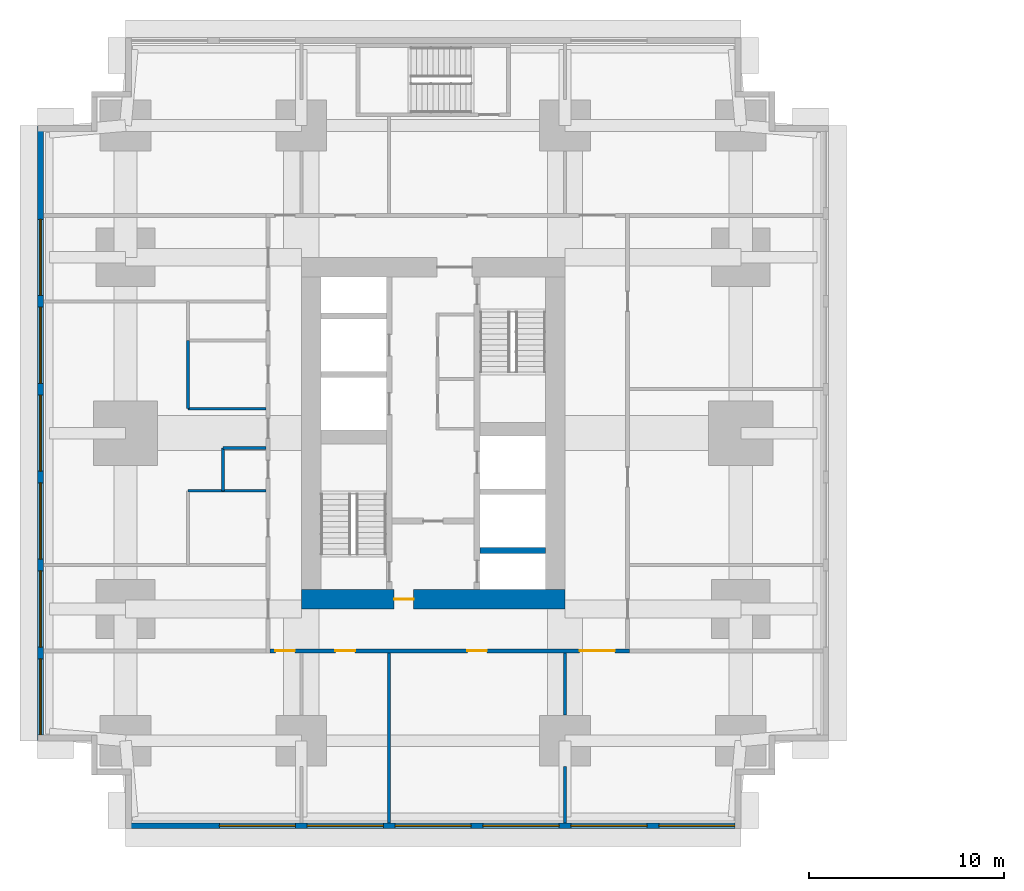
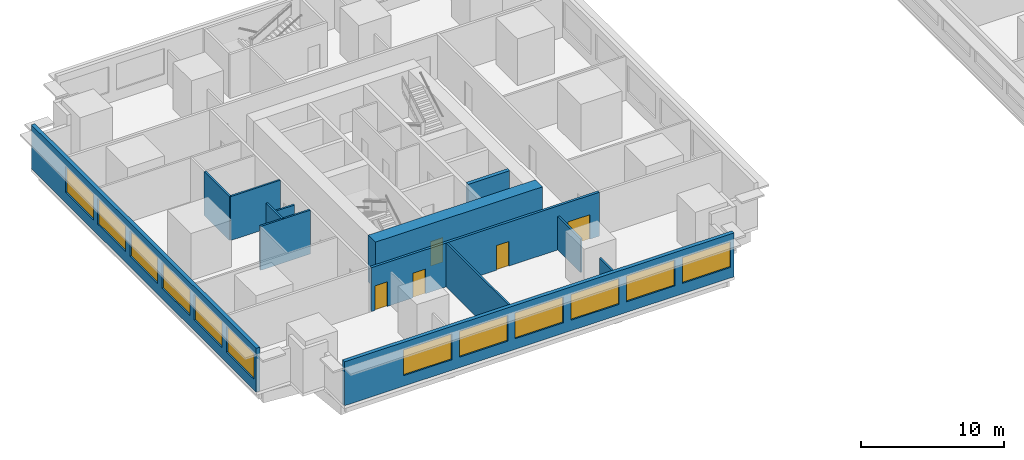
# One storey, part 3 of 11: 13 walls, 12 windows, 5 doors, 17 openings.
"""IFC4 building model written with IfcOpenShell, lengths in metres."""

from ifc_helpers import new_model, si_unit, direction, frame, frame_2d, origin, place, context, subcontext, project, spatial, rectangle, extrude, material, layer, layer_set, type_object, element, fill, save


model = new_model("IFC4")

# Units and contexts
model_context = context("Model", 3, precision=1e-05, world=origin(), true_north=direction((0.0, 1.0)))
body_context = subcontext(model_context, "Body", "Model", "MODEL_VIEW")
ifc_project = project(units=[si_unit("LENGTHUNIT", "METRE"), si_unit("AREAUNIT", "SQUARE_METRE"), si_unit("VOLUMEUNIT", "CUBIC_METRE"), si_unit("PLANEANGLEUNIT", "RADIAN"), si_unit("MASSUNIT", "GRAM", prefix="KILO")], contexts=[model_context])

# Site, building, storey
site_placement = place(None, origin())
site = spatial("IfcSite", under=ifc_project, at=site_placement, CompositionType="ELEMENT")
building_placement = place(site_placement, origin())
building = spatial("IfcBuilding", under=site, at=building_placement, Name="Namib Vertical Campus", CompositionType="ELEMENT")
storey_placement = place(building_placement, frame((0.0, 0.0, 37.0)))
storey = spatial("IfcBuildingStorey", under=building, at=storey_placement, Name="L08", CompositionType="ELEMENT", Elevation=37.0)

# Wall
ifc_material_1 = material(Name="Concrete C60/75", Category="concrete")
ifc_layer_1 = layer(ifc_material_1, 0.300048828125)
ifc_layer_set_1 = layer_set([ifc_layer_1], Name="Concrete C60/75")
wall_type_1 = type_object("IfcWallType", Name="Core inner wall 300", PredefinedType="SHEAR", material=ifc_layer_set_1)
wall_1_placement = place(storey_placement, frame((22.64990234375, 14.25, 0.0), z_axis=(0.0, 0.0, 1.0), x_axis=(1.0, 0.0, 0.0)))
element("IfcWall", 1, at=wall_1_placement, inside=storey, type_object=wall_type_1, Name="Core inner wall A L08 W5", PredefinedType="SHEAR", context=body_context, shape_type="SweptSolid", body=[
    extrude(rectangle(XDim=3.35009765625, YDim=0.300048828125, at=frame_2d((1.675048828125, 0.0))), origin(), (0.0, 0.0, 1.0), 4.0),
])

# Wall, opening, door
ifc_material_2 = material(Name="Concrete C60/75", Category="concrete")
ifc_layer_2 = layer(ifc_material_2, 1.0)
ifc_layer_set_2 = layer_set([ifc_layer_2], Name="Concrete C60/75")
wall_type_2 = type_object("IfcWallType", Name="Core wall 1000", PredefinedType="SHEAR", material=ifc_layer_set_2)
wall_2_placement = place(storey_placement, frame((13.5, 11.75, 0.0), z_axis=(0.0, 0.0, 1.0), x_axis=(1.0, 0.0, 0.0)))
wall_2 = element("IfcWall", 2, at=wall_2_placement, inside=storey, type_object=wall_type_2, Name="Core wall A L08 1", PredefinedType="SHEAR", context=body_context, shape_type="SweptSolid", body=[
    extrude(rectangle(XDim=13.5, YDim=1.0, at=frame_2d((6.75, 0.0))), origin(), (0.0, 0.0, 1.0), 4.0),
])
opening_1_placement = place(wall_2_placement, frame((4.75, 0.0, 0.0)))
opening_1 = element("IfcOpeningElement", 3, at=opening_1_placement, cuts=wall_2, Name="Opening FD5", PredefinedType="OPENING", context=body_context, shape_type="SweptSolid", body=[
    extrude(rectangle(XDim=1.0, YDim=2.10009765625, at=frame_2d((0.5, 1.050048828125))), frame((0.0, 0.510009765625, 0.0), z_axis=(0.0, -1.0, 0.0), x_axis=(1.0, 0.0, 0.0)), (0.0, 0.0, 1.0), 1.02001953125),
])
ifc_material_3 = material(Name="Steel fire door", Category="steel")
door_type_1 = type_object("IfcDoorType", Name="Fire door 1000x2100 120 min", OperationType="SINGLE_SWING_RIGHT", PredefinedType="DOOR", material=ifc_material_3)
door_1_placement = place(opening_1_placement, origin())
door_1 = element("IfcDoor", 4, at=door_1_placement, inside=storey, type_object=door_type_1, Name="Firefighting lobby door FD5 A L08", OperationType="SINGLE_SWING_LEFT", OverallHeight=2.10009765625, OverallWidth=1.0, PredefinedType="DOOR", context=body_context, shape_type="SweptSolid", body=[
    extrude(rectangle(XDim=1.0, YDim=2.10009765625, at=frame_2d((0.5, 1.050048828125))), frame((0.0, 0.02490234375, 0.0), z_axis=(0.0, -1.0, 0.0), x_axis=(1.0, 0.0, 0.0)), (0.0, 0.0, 1.0), 0.050048828125),
])
fill(opening_1, door_1)

# Wall, openings, doors
ifc_material_4 = material(Name="Concrete masonry", Category="masonry")
ifc_layer_3 = layer(ifc_material_4, 0.199951171875)
ifc_layer_set_3 = layer_set([ifc_layer_3], Name="Corridor wall 200")
wall_type_3 = type_object("IfcWallType", Name="Corridor wall 200", PredefinedType="SOLIDWALL", material=ifc_layer_set_3)
wall_3_placement = place(storey_placement, frame((11.89990234375, 9.10009765625, 0.0), z_axis=(0.0, 0.0, 1.0), x_axis=(1.0, 0.0, 0.0)))
wall_3 = element("IfcWall", 5, at=wall_3_placement, inside=storey, type_object=wall_type_3, Name="Corridor wall A L08 CS", PredefinedType="SOLIDWALL", context=body_context, shape_type="SweptSolid", body=[
    extrude(rectangle(XDim=18.400146484375, YDim=0.199951171875, at=frame_2d((9.2001953125, 0.0))), origin(), (0.0, 0.0, 1.0), 3.75),
])
opening_2_placement = place(wall_3_placement, frame((0.27490234375, 0.0, 0.0)))
opening_2 = element("IfcOpeningElement", 6, at=opening_2_placement, cuts=wall_3, Name="Opening CD1", PredefinedType="OPENING", context=body_context, shape_type="SweptSolid", body=[
    extrude(rectangle(XDim=1.0, YDim=2.10009765625, at=frame_2d((0.5, 1.050048828125))), frame((0.0, 0.10986328125, 0.0), z_axis=(0.0, -1.0, 0.0), x_axis=(1.0, 0.0, 0.0)), (0.0, 0.0, 1.0), 0.219970703125),
])
opening_3_placement = place(wall_3_placement, frame((3.35009765625, 0.0, 0.0)))
opening_3 = element("IfcOpeningElement", 7, at=opening_3_placement, cuts=wall_3, Name="Opening CD1", PredefinedType="OPENING", context=body_context, shape_type="SweptSolid", body=[
    extrude(rectangle(XDim=1.0, YDim=2.10009765625, at=frame_2d((0.5, 1.050048828125))), frame((0.0, 0.10986328125, 0.0), z_axis=(0.0, -1.0, 0.0), x_axis=(1.0, 0.0, 0.0)), (0.0, 0.0, 1.0), 0.219970703125),
])
opening_4_placement = place(wall_3_placement, frame((10.10009765625, 0.0, 0.0)))
opening_4 = element("IfcOpeningElement", 8, at=opening_4_placement, cuts=wall_3, Name="Opening CD1", PredefinedType="OPENING", context=body_context, shape_type="SweptSolid", body=[
    extrude(rectangle(XDim=1.0, YDim=2.10009765625, at=frame_2d((0.5, 1.050048828125))), frame((0.0, 0.10986328125, 0.0), z_axis=(0.0, -1.0, 0.0), x_axis=(1.0, 0.0, 0.0)), (0.0, 0.0, 1.0), 0.219970703125),
])
opening_5_placement = place(wall_3_placement, frame((15.85009765625, 0.0, 0.0)))
opening_5 = element("IfcOpeningElement", 9, at=opening_5_placement, cuts=wall_3, Name="Opening CD2", PredefinedType="OPENING", context=body_context, shape_type="SweptSolid", body=[
    extrude(rectangle(XDim=1.800048828125, YDim=2.10009765625, at=frame_2d((0.89990234375, 1.050048828125))), frame((0.0, 0.10986328125, 0.0), z_axis=(0.0, -1.0, 0.0), x_axis=(1.0, 0.0, 0.0)), (0.0, 0.0, 1.0), 0.219970703125),
])
ifc_material_5 = material(Name="Timber fire door leaf", Category="wood")
door_type_2 = type_object("IfcDoorType", Name="Corridor door 1000x2100 20 min", OperationType="SINGLE_SWING_LEFT", PredefinedType="DOOR", material=ifc_material_5)
door_2_placement = place(opening_2_placement, frame((1.0, 0.0, 0.0), z_axis=(0.0, 0.0, 1.0), x_axis=(-1.0, 0.0, 0.0)))
door_2 = element("IfcDoor", 10, at=door_2_placement, inside=storey, type_object=door_type_2, Name="Door CD1 A08-01", OperationType="SINGLE_SWING_LEFT", OverallHeight=2.10009765625, OverallWidth=1.0, PredefinedType="DOOR", context=body_context, shape_type="SweptSolid", body=[
    extrude(rectangle(XDim=1.0, YDim=2.10009765625, at=frame_2d((0.5, 1.050048828125))), frame((0.0, 0.02490234375, 0.0), z_axis=(0.0, -1.0, 0.0), x_axis=(1.0, 0.0, 0.0)), (0.0, 0.0, 1.0), 0.050048828125),
])
fill(opening_2, door_2)
door_3_placement = place(opening_3_placement, frame((1.0, 0.0, 0.0), z_axis=(0.0, 0.0, 1.0), x_axis=(-1.0, 0.0, 0.0)))
door_3 = element("IfcDoor", 11, at=door_3_placement, inside=storey, type_object=door_type_2, Name="Door CD1 A08-02", OperationType="SINGLE_SWING_RIGHT", OverallHeight=2.10009765625, OverallWidth=1.0, PredefinedType="DOOR", context=body_context, shape_type="SweptSolid", body=[
    extrude(rectangle(XDim=1.0, YDim=2.10009765625, at=frame_2d((0.5, 1.050048828125))), frame((0.0, 0.02490234375, 0.0), z_axis=(0.0, -1.0, 0.0), x_axis=(1.0, 0.0, 0.0)), (0.0, 0.0, 1.0), 0.050048828125),
])
fill(opening_3, door_3)
door_4_placement = place(opening_4_placement, frame((1.0, 0.0, 0.0), z_axis=(0.0, 0.0, 1.0), x_axis=(-1.0, 0.0, 0.0)))
door_4 = element("IfcDoor", 12, at=door_4_placement, inside=storey, type_object=door_type_2, Name="Door CD1 A08-03", OperationType="SINGLE_SWING_RIGHT", OverallHeight=2.10009765625, OverallWidth=1.0, PredefinedType="DOOR", context=body_context, shape_type="SweptSolid", body=[
    extrude(rectangle(XDim=1.0, YDim=2.10009765625, at=frame_2d((0.5, 1.050048828125))), frame((0.0, 0.02490234375, 0.0), z_axis=(0.0, -1.0, 0.0), x_axis=(1.0, 0.0, 0.0)), (0.0, 0.0, 1.0), 0.050048828125),
])
fill(opening_4, door_4)
ifc_material_6 = material(Name="Timber fire door leaf", Category="wood")
door_type_3 = type_object("IfcDoorType", Name="Corridor door double 1800x2100 20 min", OperationType="DOUBLE_DOOR_SINGLE_SWING", PredefinedType="DOOR", material=ifc_material_6)
door_5_placement = place(opening_5_placement, frame((1.800048828125, 0.0, 0.0), z_axis=(0.0, 0.0, 1.0), x_axis=(-1.0, 0.0, 0.0)))
door_5 = element("IfcDoor", 13, at=door_5_placement, inside=storey, type_object=door_type_3, Name="Door CD2 A08-04", OperationType="DOUBLE_DOOR_SINGLE_SWING", OverallHeight=2.10009765625, OverallWidth=1.800048828125, PredefinedType="DOOR", context=body_context, shape_type="SweptSolid", body=[
    extrude(rectangle(XDim=1.800048828125, YDim=2.10009765625, at=frame_2d((0.89990234375, 1.050048828125))), frame((0.0, 0.02490234375, 0.0), z_axis=(0.0, -1.0, 0.0), x_axis=(1.0, 0.0, 0.0)), (0.0, 0.0, 1.0), 0.050048828125),
])
fill(opening_5, door_5)

# Wall, openings, windows
ifc_material_7 = material(Name="Concrete C40/50", Category="concrete")
ifc_layer_4 = layer(ifc_material_7, 0.300048828125)
ifc_layer_set_4 = layer_set([ifc_layer_4], Name="Concrete C40/50")
wall_type_4 = type_object("IfcWallType", Name="External wall 300 board-marked concrete", PredefinedType="STANDARD", material=ifc_layer_set_4)
wall_4_placement = place(storey_placement, frame((4.52001953125, 0.14990234375, 0.0), z_axis=(0.0, 0.0, 1.0), x_axis=(1.0, 0.0, 0.0)))
wall_4 = element("IfcWall", 14, at=wall_4_placement, inside=storey, type_object=wall_type_4, Name="External wall L08 F01", PredefinedType="STANDARD", context=body_context, shape_type="SweptSolid", body=[
    extrude(rectangle(XDim=31.4599609375, YDim=0.300048828125, at=frame_2d((15.72998046875, 0.0))), origin(), (0.0, 0.0, 1.0), 3.75),
])
opening_6_placement = place(wall_4_placement, frame((4.780029296875, 0.0, 0.89990234375)))
opening_6 = element("IfcOpeningElement", 15, at=opening_6_placement, cuts=wall_4, Name="Opening W1", PredefinedType="OPENING", context=body_context, shape_type="SweptSolid", body=[
    extrude(rectangle(XDim=3.89990234375, YDim=2.199951171875, at=frame_2d((1.949951171875, 1.10009765625))), frame((0.0, 0.159912109375, 0.0), z_axis=(0.0, -1.0, 0.0), x_axis=(1.0, 0.0, 0.0)), (0.0, 0.0, 1.0), 0.320068359375),
])
opening_7_placement = place(wall_4_placement, frame((9.280029296875, 0.0, 0.89990234375)))
opening_7 = element("IfcOpeningElement", 16, at=opening_7_placement, cuts=wall_4, Name="Opening W1", PredefinedType="OPENING", context=body_context, shape_type="SweptSolid", body=[
    extrude(rectangle(XDim=3.89990234375, YDim=2.199951171875, at=frame_2d((1.949951171875, 1.10009765625))), frame((0.0, 0.159912109375, 0.0), z_axis=(0.0, -1.0, 0.0), x_axis=(1.0, 0.0, 0.0)), (0.0, 0.0, 1.0), 0.320068359375),
])
opening_8_placement = place(wall_4_placement, frame((13.780029296875, 0.0, 0.89990234375)))
opening_8 = element("IfcOpeningElement", 17, at=opening_8_placement, cuts=wall_4, Name="Opening W1", PredefinedType="OPENING", context=body_context, shape_type="SweptSolid", body=[
    extrude(rectangle(XDim=3.89990234375, YDim=2.199951171875, at=frame_2d((1.949951171875, 1.10009765625))), frame((0.0, 0.159912109375, 0.0), z_axis=(0.0, -1.0, 0.0), x_axis=(1.0, 0.0, 0.0)), (0.0, 0.0, 1.0), 0.320068359375),
])
opening_9_placement = place(wall_4_placement, frame((18.280029296875, 0.0, 0.89990234375)))
opening_9 = element("IfcOpeningElement", 18, at=opening_9_placement, cuts=wall_4, Name="Opening W1", PredefinedType="OPENING", context=body_context, shape_type="SweptSolid", body=[
    extrude(rectangle(XDim=3.89990234375, YDim=2.199951171875, at=frame_2d((1.949951171875, 1.10009765625))), frame((0.0, 0.159912109375, 0.0), z_axis=(0.0, -1.0, 0.0), x_axis=(1.0, 0.0, 0.0)), (0.0, 0.0, 1.0), 0.320068359375),
])
opening_10_placement = place(wall_4_placement, frame((22.780029296875, 0.0, 0.89990234375)))
opening_10 = element("IfcOpeningElement", 19, at=opening_10_placement, cuts=wall_4, Name="Opening W1", PredefinedType="OPENING", context=body_context, shape_type="SweptSolid", body=[
    extrude(rectangle(XDim=3.89990234375, YDim=2.199951171875, at=frame_2d((1.949951171875, 1.10009765625))), frame((0.0, 0.159912109375, 0.0), z_axis=(0.0, -1.0, 0.0), x_axis=(1.0, 0.0, 0.0)), (0.0, 0.0, 1.0), 0.320068359375),
])
opening_11_placement = place(wall_4_placement, frame((27.280029296875, 0.0, 0.89990234375)))
opening_11 = element("IfcOpeningElement", 20, at=opening_11_placement, cuts=wall_4, Name="Opening W1", PredefinedType="OPENING", context=body_context, shape_type="SweptSolid", body=[
    extrude(rectangle(XDim=3.89990234375, YDim=2.199951171875, at=frame_2d((1.949951171875, 1.10009765625))), frame((0.0, 0.159912109375, 0.0), z_axis=(0.0, -1.0, 0.0), x_axis=(1.0, 0.0, 0.0)), (0.0, 0.0, 1.0), 0.320068359375),
])
ifc_material_8 = material(Name="Dark tinted glass in black aluminium frame", Category="aluminium")
window_type = type_object("IfcWindowType", Name="Ribbon window 3900x2200", PartitioningType="SINGLE_PANEL", PredefinedType="WINDOW", material=ifc_material_8)
window_1_placement = place(opening_6_placement, origin())
window_1 = element("IfcWindow", 21, at=window_1_placement, inside=storey, type_object=window_type, Name="Window W1 L08 F01-2", OverallHeight=2.199951171875, OverallWidth=3.89990234375, PartitioningType="SINGLE_PANEL", PredefinedType="WINDOW", context=body_context, shape_type="SweptSolid", body=[
    extrude(rectangle(XDim=3.89990234375, YDim=2.199951171875, at=frame_2d((1.949951171875, 1.10009765625))), frame((0.0, 0.030029296875, 0.0), z_axis=(0.0, -1.0, 0.0), x_axis=(1.0, 0.0, 0.0)), (0.0, 0.0, 1.0), 0.06005859375),
])
fill(opening_6, window_1)
window_2_placement = place(opening_7_placement, origin())
window_2 = element("IfcWindow", 22, at=window_2_placement, inside=storey, type_object=window_type, Name="Window W1 L08 F01-3", OverallHeight=2.199951171875, OverallWidth=3.89990234375, PartitioningType="SINGLE_PANEL", PredefinedType="WINDOW", context=body_context, shape_type="SweptSolid", body=[
    extrude(rectangle(XDim=3.89990234375, YDim=2.199951171875, at=frame_2d((1.949951171875, 1.10009765625))), frame((0.0, 0.030029296875, 0.0), z_axis=(0.0, -1.0, 0.0), x_axis=(1.0, 0.0, 0.0)), (0.0, 0.0, 1.0), 0.06005859375),
])
fill(opening_7, window_2)
window_3_placement = place(opening_8_placement, origin())
window_3 = element("IfcWindow", 23, at=window_3_placement, inside=storey, type_object=window_type, Name="Window W1 L08 F01-4", OverallHeight=2.199951171875, OverallWidth=3.89990234375, PartitioningType="SINGLE_PANEL", PredefinedType="WINDOW", context=body_context, shape_type="SweptSolid", body=[
    extrude(rectangle(XDim=3.89990234375, YDim=2.199951171875, at=frame_2d((1.949951171875, 1.10009765625))), frame((0.0, 0.030029296875, 0.0), z_axis=(0.0, -1.0, 0.0), x_axis=(1.0, 0.0, 0.0)), (0.0, 0.0, 1.0), 0.06005859375),
])
fill(opening_8, window_3)
window_4_placement = place(opening_9_placement, origin())
window_4 = element("IfcWindow", 24, at=window_4_placement, inside=storey, type_object=window_type, Name="Window W1 L08 F01-5", OverallHeight=2.199951171875, OverallWidth=3.89990234375, PartitioningType="SINGLE_PANEL", PredefinedType="WINDOW", context=body_context, shape_type="SweptSolid", body=[
    extrude(rectangle(XDim=3.89990234375, YDim=2.199951171875, at=frame_2d((1.949951171875, 1.10009765625))), frame((0.0, 0.030029296875, 0.0), z_axis=(0.0, -1.0, 0.0), x_axis=(1.0, 0.0, 0.0)), (0.0, 0.0, 1.0), 0.06005859375),
])
fill(opening_9, window_4)
window_5_placement = place(opening_10_placement, origin())
window_5 = element("IfcWindow", 25, at=window_5_placement, inside=storey, type_object=window_type, Name="Window W1 L08 F01-6", OverallHeight=2.199951171875, OverallWidth=3.89990234375, PartitioningType="SINGLE_PANEL", PredefinedType="WINDOW", context=body_context, shape_type="SweptSolid", body=[
    extrude(rectangle(XDim=3.89990234375, YDim=2.199951171875, at=frame_2d((1.949951171875, 1.10009765625))), frame((0.0, 0.030029296875, 0.0), z_axis=(0.0, -1.0, 0.0), x_axis=(1.0, 0.0, 0.0)), (0.0, 0.0, 1.0), 0.06005859375),
])
fill(opening_10, window_5)
window_6_placement = place(opening_11_placement, origin())
window_6 = element("IfcWindow", 26, at=window_6_placement, inside=storey, type_object=window_type, Name="Window W1 L08 F01-7", OverallHeight=2.199951171875, OverallWidth=3.89990234375, PartitioningType="SINGLE_PANEL", PredefinedType="WINDOW", context=body_context, shape_type="SweptSolid", body=[
    extrude(rectangle(XDim=3.89990234375, YDim=2.199951171875, at=frame_2d((1.949951171875, 1.10009765625))), frame((0.0, 0.030029296875, 0.0), z_axis=(0.0, -1.0, 0.0), x_axis=(1.0, 0.0, 0.0)), (0.0, 0.0, 1.0), 0.06005859375),
])
fill(opening_11, window_6)

wall_5_placement = place(storey_placement, frame((0.14990234375, 35.97998046875, 0.0), z_axis=(0.0, 0.0, 1.0), x_axis=(0.0, -1.0, 0.0)))
wall_5 = element("IfcWall", 27, at=wall_5_placement, inside=storey, type_object=wall_type_4, Name="External wall L08 F16", PredefinedType="STANDARD", context=body_context, shape_type="SweptSolid", body=[
    extrude(rectangle(XDim=31.4599609375, YDim=0.300048828125, at=frame_2d((15.72998046875, 0.0))), origin(), (0.0, 0.0, 1.0), 3.75),
])
opening_12_placement = place(wall_5_placement, frame((27.280029296875, 0.0, 0.89990234375)))
opening_12 = element("IfcOpeningElement", 28, at=opening_12_placement, cuts=wall_5, Name="Opening W1", PredefinedType="OPENING", context=body_context, shape_type="SweptSolid", body=[
    extrude(rectangle(XDim=3.89990234375, YDim=2.199951171875, at=frame_2d((1.949951171875, 1.10009765625))), frame((0.0, 0.159912109375, 0.0), z_axis=(0.0, -1.0, 0.0), x_axis=(1.0, 0.0, 0.0)), (0.0, 0.0, 1.0), 0.320068359375),
])
opening_13_placement = place(wall_5_placement, frame((22.780029296875, 0.0, 0.89990234375)))
opening_13 = element("IfcOpeningElement", 29, at=opening_13_placement, cuts=wall_5, Name="Opening W1", PredefinedType="OPENING", context=body_context, shape_type="SweptSolid", body=[
    extrude(rectangle(XDim=3.89990234375, YDim=2.199951171875, at=frame_2d((1.949951171875, 1.10009765625))), frame((0.0, 0.159912109375, 0.0), z_axis=(0.0, -1.0, 0.0), x_axis=(1.0, 0.0, 0.0)), (0.0, 0.0, 1.0), 0.320068359375),
])
opening_14_placement = place(wall_5_placement, frame((18.280029296875, 0.0, 0.89990234375)))
opening_14 = element("IfcOpeningElement", 30, at=opening_14_placement, cuts=wall_5, Name="Opening W1", PredefinedType="OPENING", context=body_context, shape_type="SweptSolid", body=[
    extrude(rectangle(XDim=3.89990234375, YDim=2.199951171875, at=frame_2d((1.949951171875, 1.10009765625))), frame((0.0, 0.159912109375, 0.0), z_axis=(0.0, -1.0, 0.0), x_axis=(1.0, 0.0, 0.0)), (0.0, 0.0, 1.0), 0.320068359375),
])
opening_15_placement = place(wall_5_placement, frame((13.780029296875, 0.0, 0.89990234375)))
opening_15 = element("IfcOpeningElement", 31, at=opening_15_placement, cuts=wall_5, Name="Opening W1", PredefinedType="OPENING", context=body_context, shape_type="SweptSolid", body=[
    extrude(rectangle(XDim=3.89990234375, YDim=2.199951171875, at=frame_2d((1.949951171875, 1.10009765625))), frame((0.0, 0.159912109375, 0.0), z_axis=(0.0, -1.0, 0.0), x_axis=(1.0, 0.0, 0.0)), (0.0, 0.0, 1.0), 0.320068359375),
])
opening_16_placement = place(wall_5_placement, frame((9.280029296875, 0.0, 0.89990234375)))
opening_16 = element("IfcOpeningElement", 32, at=opening_16_placement, cuts=wall_5, Name="Opening W1", PredefinedType="OPENING", context=body_context, shape_type="SweptSolid", body=[
    extrude(rectangle(XDim=3.89990234375, YDim=2.199951171875, at=frame_2d((1.949951171875, 1.10009765625))), frame((0.0, 0.159912109375, 0.0), z_axis=(0.0, -1.0, 0.0), x_axis=(1.0, 0.0, 0.0)), (0.0, 0.0, 1.0), 0.320068359375),
])
opening_17_placement = place(wall_5_placement, frame((4.780029296875, 0.0, 0.89990234375)))
opening_17 = element("IfcOpeningElement", 33, at=opening_17_placement, cuts=wall_5, Name="Opening W1", PredefinedType="OPENING", context=body_context, shape_type="SweptSolid", body=[
    extrude(rectangle(XDim=3.89990234375, YDim=2.199951171875, at=frame_2d((1.949951171875, 1.10009765625))), frame((0.0, 0.159912109375, 0.0), z_axis=(0.0, -1.0, 0.0), x_axis=(1.0, 0.0, 0.0)), (0.0, 0.0, 1.0), 0.320068359375),
])
window_7_placement = place(opening_12_placement, origin())
window_7 = element("IfcWindow", 34, at=window_7_placement, inside=storey, type_object=window_type, Name="Window W1 L08 F16-1", OverallHeight=2.199951171875, OverallWidth=3.89990234375, PartitioningType="SINGLE_PANEL", PredefinedType="WINDOW", context=body_context, shape_type="SweptSolid", body=[
    extrude(rectangle(XDim=3.89990234375, YDim=2.199951171875, at=frame_2d((1.949951171875, 1.10009765625))), frame((0.0, 0.030029296875, 0.0), z_axis=(0.0, -1.0, 0.0), x_axis=(1.0, 0.0, 0.0)), (0.0, 0.0, 1.0), 0.06005859375),
])
fill(opening_12, window_7)
window_8_placement = place(opening_13_placement, origin())
window_8 = element("IfcWindow", 35, at=window_8_placement, inside=storey, type_object=window_type, Name="Window W1 L08 F16-2", OverallHeight=2.199951171875, OverallWidth=3.89990234375, PartitioningType="SINGLE_PANEL", PredefinedType="WINDOW", context=body_context, shape_type="SweptSolid", body=[
    extrude(rectangle(XDim=3.89990234375, YDim=2.199951171875, at=frame_2d((1.949951171875, 1.10009765625))), frame((0.0, 0.030029296875, 0.0), z_axis=(0.0, -1.0, 0.0), x_axis=(1.0, 0.0, 0.0)), (0.0, 0.0, 1.0), 0.06005859375),
])
fill(opening_13, window_8)
window_9_placement = place(opening_14_placement, origin())
window_9 = element("IfcWindow", 36, at=window_9_placement, inside=storey, type_object=window_type, Name="Window W1 L08 F16-3", OverallHeight=2.199951171875, OverallWidth=3.89990234375, PartitioningType="SINGLE_PANEL", PredefinedType="WINDOW", context=body_context, shape_type="SweptSolid", body=[
    extrude(rectangle(XDim=3.89990234375, YDim=2.199951171875, at=frame_2d((1.949951171875, 1.10009765625))), frame((0.0, 0.030029296875, 0.0), z_axis=(0.0, -1.0, 0.0), x_axis=(1.0, 0.0, 0.0)), (0.0, 0.0, 1.0), 0.06005859375),
])
fill(opening_14, window_9)
window_10_placement = place(opening_15_placement, origin())
window_10 = element("IfcWindow", 37, at=window_10_placement, inside=storey, type_object=window_type, Name="Window W1 L08 F16-4", OverallHeight=2.199951171875, OverallWidth=3.89990234375, PartitioningType="SINGLE_PANEL", PredefinedType="WINDOW", context=body_context, shape_type="SweptSolid", body=[
    extrude(rectangle(XDim=3.89990234375, YDim=2.199951171875, at=frame_2d((1.949951171875, 1.10009765625))), frame((0.0, 0.030029296875, 0.0), z_axis=(0.0, -1.0, 0.0), x_axis=(1.0, 0.0, 0.0)), (0.0, 0.0, 1.0), 0.06005859375),
])
fill(opening_15, window_10)
window_11_placement = place(opening_16_placement, origin())
window_11 = element("IfcWindow", 38, at=window_11_placement, inside=storey, type_object=window_type, Name="Window W1 L08 F16-5", OverallHeight=2.199951171875, OverallWidth=3.89990234375, PartitioningType="SINGLE_PANEL", PredefinedType="WINDOW", context=body_context, shape_type="SweptSolid", body=[
    extrude(rectangle(XDim=3.89990234375, YDim=2.199951171875, at=frame_2d((1.949951171875, 1.10009765625))), frame((0.0, 0.030029296875, 0.0), z_axis=(0.0, -1.0, 0.0), x_axis=(1.0, 0.0, 0.0)), (0.0, 0.0, 1.0), 0.06005859375),
])
fill(opening_16, window_11)
window_12_placement = place(opening_17_placement, origin())
window_12 = element("IfcWindow", 39, at=window_12_placement, inside=storey, type_object=window_type, Name="Window W1 L08 F16-6", OverallHeight=2.199951171875, OverallWidth=3.89990234375, PartitioningType="SINGLE_PANEL", PredefinedType="WINDOW", context=body_context, shape_type="SweptSolid", body=[
    extrude(rectangle(XDim=3.89990234375, YDim=2.199951171875, at=frame_2d((1.949951171875, 1.10009765625))), frame((0.0, 0.030029296875, 0.0), z_axis=(0.0, -1.0, 0.0), x_axis=(1.0, 0.0, 0.0)), (0.0, 0.0, 1.0), 0.06005859375),
])
fill(opening_17, window_12)

# Walls
ifc_material_9 = material(Name="Gypsum board on steel studs", Category="steel")
ifc_layer_5 = layer(ifc_material_9, 0.14990234375)
ifc_layer_set_5 = layer_set([ifc_layer_5], Name="Gypsum board on steel studs")
wall_type_5 = type_object("IfcWallType", Name="Partition 150", PredefinedType="PARTITIONING", material=ifc_layer_set_5)
wall_6_placement = place(storey_placement, frame((18.0, 0.300048828125, 0.0), z_axis=(0.0, 0.0, 1.0), x_axis=(0.0, 1.0, 0.0)))
element("IfcWall", 40, at=wall_6_placement, inside=storey, type_object=wall_type_5, Name="Partition A L08 PS2", PredefinedType="PARTITIONING", context=body_context, shape_type="SweptSolid", body=[
    extrude(rectangle(XDim=8.699951171875, YDim=0.14990234375, at=frame_2d((4.35009765625, 0.0))), origin(), (0.0, 0.0, 1.0), 3.75),
])
wall_7_placement = place(storey_placement, frame((27.0, 0.300048828125, 0.0), z_axis=(0.0, 0.0, 1.0), x_axis=(0.0, 1.0, 0.0)))
element("IfcWall", 41, at=wall_7_placement, inside=storey, type_object=wall_type_5, Name="Partition A L08 PS3", PredefinedType="PARTITIONING", context=body_context, shape_type="SweptSolid", body=[
    extrude(rectangle(XDim=2.8798828125, YDim=0.14990234375, at=frame_2d((1.43994140625, 0.0))), origin(), (0.0, 0.0, 1.0), 2.85009765625),
])
wall_8_placement = place(storey_placement, frame((27.0, 5.820068359375, 0.0), z_axis=(0.0, 0.0, 1.0), x_axis=(0.0, 1.0, 0.0)))
element("IfcWall", 42, at=wall_8_placement, inside=storey, type_object=wall_type_5, Name="Partition A L08 PS3", PredefinedType="PARTITIONING", context=body_context, shape_type="SweptSolid", body=[
    extrude(rectangle(XDim=3.179931640625, YDim=0.14990234375, at=frame_2d((1.58984375, 0.0))), origin(), (0.0, 0.0, 1.0), 2.85009765625),
])
wall_9_placement = place(storey_placement, frame((11.699951171875, 17.300048828125, 0.0), z_axis=(0.0, 0.0, 1.0), x_axis=(-1.0, 0.0, 0.0)))
element("IfcWall", 43, at=wall_9_placement, inside=storey, type_object=wall_type_5, Name="Partition A L08 WR1", PredefinedType="PARTITIONING", context=body_context, shape_type="SweptSolid", body=[
    extrude(rectangle(XDim=4.0, YDim=0.14990234375, at=frame_2d((2.0, 0.0))), origin(), (0.0, 0.0, 1.0), 3.75),
])
wall_10_placement = place(storey_placement, frame((11.699951171875, 19.5, 0.0), z_axis=(0.0, 0.0, 1.0), x_axis=(-1.0, 0.0, 0.0)))
element("IfcWall", 44, at=wall_10_placement, inside=storey, type_object=wall_type_5, Name="Partition A L08 WR2", PredefinedType="PARTITIONING", context=body_context, shape_type="SweptSolid", body=[
    extrude(rectangle(XDim=2.199951171875, YDim=0.14990234375, at=frame_2d((1.10009765625, 0.0))), origin(), (0.0, 0.0, 1.0), 2.85009765625),
])
wall_11_placement = place(storey_placement, frame((11.699951171875, 21.5, 0.0), z_axis=(0.0, 0.0, 1.0), x_axis=(-1.0, 0.0, 0.0)))
element("IfcWall", 45, at=wall_11_placement, inside=storey, type_object=wall_type_5, Name="Partition A L08 WR3", PredefinedType="PARTITIONING", context=body_context, shape_type="SweptSolid", body=[
    extrude(rectangle(XDim=4.0, YDim=0.14990234375, at=frame_2d((2.0, 0.0))), origin(), (0.0, 0.0, 1.0), 3.75),
])
wall_12_placement = place(storey_placement, frame((9.5, 17.300048828125, 0.0), z_axis=(0.0, 0.0, 1.0), x_axis=(0.0, 1.0, 0.0)))
element("IfcWall", 46, at=wall_12_placement, inside=storey, type_object=wall_type_5, Name="Partition A L08 WB2", PredefinedType="PARTITIONING", context=body_context, shape_type="SweptSolid", body=[
    extrude(rectangle(XDim=2.199951171875, YDim=0.14990234375, at=frame_2d((1.10009765625, 0.0))), origin(), (0.0, 0.0, 1.0), 3.75),
])
wall_13_placement = place(storey_placement, frame((7.699951171875, 21.5, 0.0), z_axis=(0.0, 0.0, 1.0), x_axis=(0.0, 1.0, 0.0)))
element("IfcWall", 47, at=wall_13_placement, inside=storey, type_object=wall_type_5, Name="Partition A L08 WB3", PredefinedType="PARTITIONING", context=body_context, shape_type="SweptSolid", body=[
    extrude(rectangle(XDim=3.5, YDim=0.14990234375, at=frame_2d((1.75, 0.0))), origin(), (0.0, 0.0, 1.0), 3.75),
])

save(model, "model.ifc")
